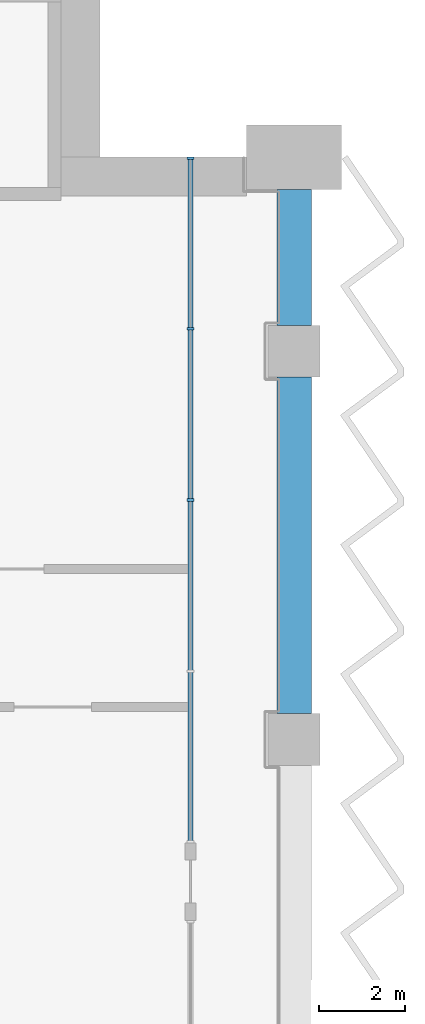
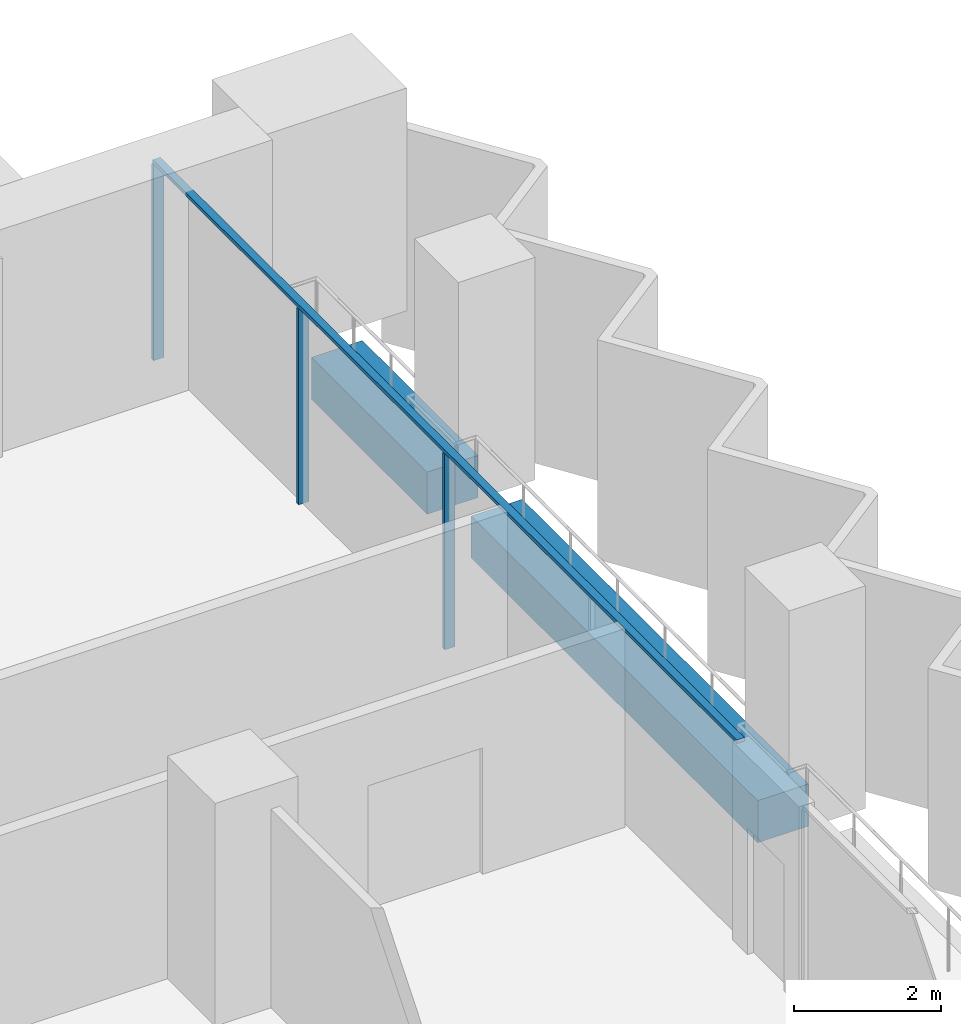
# One storey, part 6 of 22: 4 members, 2 beams, 1 element without a shape of its own.
"""IFC4 building model written with IfcOpenShell, lengths in metres."""

from ifc_helpers import new_model, si_unit, direction, frame, origin, origin_2d, place, context, subcontext, project, spatial, rectangle, extrude, material, material_profile, profile_set, type_object, element, aggregate, save


model = new_model("IFC4")

# Units and contexts
model_context = context("Model", 3, precision=1e-05, world=origin(), true_north=direction((0.0, 1.0)))
body_context = subcontext(model_context, "Body", "Model", "MODEL_VIEW")
ifc_project = project(units=[si_unit("LENGTHUNIT", "METRE"), si_unit("AREAUNIT", "SQUARE_METRE"), si_unit("VOLUMEUNIT", "CUBIC_METRE"), si_unit("PLANEANGLEUNIT", "RADIAN"), si_unit("MASSUNIT", "GRAM", prefix="KILO")], contexts=[model_context])

# Site, building, storey
site_placement = place(None, origin())
site = spatial("IfcSite", under=ifc_project, at=site_placement, CompositionType="ELEMENT")
building_placement = place(site_placement, origin())
building = spatial("IfcBuilding", under=site, at=building_placement, Name="Hunhe Ridgeline Campus", CompositionType="ELEMENT")
storey_placement = place(building_placement, frame((0.0, 0.0, 92.199951171875)))
storey = spatial("IfcBuildingStorey", under=building, at=storey_placement, Name="L22", CompositionType="ELEMENT", Elevation=92.199951171875)

# Curtain wall, members
ifc_material_1 = material(Name="Aluminium 6063", Category="aluminium")
curtain_wall_type = type_object("IfcCurtainWallType", Name="Curtain wall CW-1", PredefinedType="NOTDEFINED", material=ifc_material_1)
curtain_wall_placement = place(storey_placement, origin())
curtain_wall = element("IfcCurtainWall", 1, at=curtain_wall_placement, inside=storey, type_object=curtain_wall_type, Name="Curtain wall 16", PredefinedType="NOTDEFINED")
ifc_material_profile_1 = material_profile(ifc_material_1, rectangle(XDim=0.159912109375, YDim=0.06005859375, at=origin_2d()))
ifc_profile_set_1 = profile_set([ifc_material_profile_1], Name="Aluminium 6063")
member_type_1 = type_object("IfcMemberType", Name="CW-1 aluminium mullion", PredefinedType="MULLION", material=ifc_profile_set_1)
member_1_placement = place(storey_placement, frame((78.59912109375, 86.55029296875, 0.0), z_axis=(0.0, 0.0, 1.0), x_axis=(-1.0, 0.0, 0.0)))
member_1 = element("IfcMember", 2, at=member_1_placement, type_object=member_type_1, Name="CW-1 mullion 3", PredefinedType="MULLION", context=body_context, shape_type="SweptSolid", body=[
    extrude(rectangle(XDim=0.159912109375, YDim=0.06005859375, at=origin_2d()), origin(), (0.0, 0.0, 1.0), 3.239990234375),
])
member_2_placement = place(storey_placement, frame((78.59912109375, 90.525146484375, 0.0), z_axis=(0.0, 0.0, 1.0), x_axis=(-1.0, 0.0, 0.0)))
member_2 = element("IfcMember", 3, at=member_2_placement, type_object=member_type_1, Name="CW-1 mullion 4", PredefinedType="MULLION", context=body_context, shape_type="SweptSolid", body=[
    extrude(rectangle(XDim=0.159912109375, YDim=0.06005859375, at=origin_2d()), origin(), (0.0, 0.0, 1.0), 3.239990234375),
])
member_3_placement = place(storey_placement, frame((78.59912109375, 94.469970703125, 0.0), z_axis=(0.0, 0.0, 1.0), x_axis=(-1.0, 0.0, 0.0)))
member_3 = element("IfcMember", 4, at=member_3_placement, type_object=member_type_1, Name="CW-1 mullion 5", PredefinedType="MULLION", context=body_context, shape_type="SweptSolid", body=[
    extrude(rectangle(XDim=0.159912109375, YDim=0.06005859375, at=origin_2d()), origin(), (0.0, 0.0, 1.0), 3.239990234375),
])
ifc_material_profile_2 = material_profile(ifc_material_1, rectangle(XDim=0.1201171875, YDim=0.06005859375, at=origin_2d()))
ifc_profile_set_2 = profile_set([ifc_material_profile_2], Name="Aluminium 6063")
member_type_2 = type_object("IfcMemberType", Name="CW-1 aluminium transom", PredefinedType="USERDEFINED", material=ifc_profile_set_2)
member_4_placement = place(storey_placement, frame((78.59912109375, 78.6005859375, 3.27001953125), z_axis=(0.0, 1.0, 0.0), x_axis=(-1.0, 0.0, 0.0)))
member_4 = element("IfcMember", 5, at=member_4_placement, type_object=member_type_2, Name="CW-1 transom 1", ObjectType="TRANSOM", PredefinedType="USERDEFINED", context=body_context, shape_type="SweptSolid", body=[
    extrude(rectangle(XDim=0.1201171875, YDim=0.06005859375, at=origin_2d()), origin(), (0.0, 0.0, 1.0), 15.8994140625),
])
aggregate(curtain_wall, [member_4, member_1, member_2, member_3])

# Beams
ifc_material_2 = material(Name="Concrete C60", Category="concrete")
ifc_material_profile_3 = material_profile(ifc_material_2, rectangle(XDim=0.800048828125, YDim=0.699951171875, at=origin_2d()))
ifc_profile_set_3 = profile_set([ifc_material_profile_3], Name="Concrete C60")
beam_type = type_object("IfcBeamType", Name="RC spandrel beam 800x700 Concrete C60", PredefinedType="SPANDREL", material=ifc_profile_set_3)
beam_1_placement = place(storey_placement, frame((81.0, 81.60009765625, -0.599853515625), z_axis=(0.0, 1.0, 0.0), x_axis=(-1.0, 0.0, 0.0)))
element("IfcBeam", 6, at=beam_1_placement, inside=storey, type_object=beam_type, Name="Spandrel beam B1-21 L22", PredefinedType="SPANDREL", context=body_context, shape_type="SweptSolid", body=[
    extrude(rectangle(XDim=0.800048828125, YDim=0.699951171875, at=origin_2d()), origin(), (0.0, 0.0, 1.0), 7.7998046875),
])
beam_2_placement = place(storey_placement, frame((81.0, 90.60009765625, -0.599853515625), z_axis=(0.0, 1.0, 0.0), x_axis=(-1.0, 0.0, 0.0)))
element("IfcBeam", 7, at=beam_2_placement, inside=storey, type_object=beam_type, Name="Spandrel beam B1-22 L22", PredefinedType="SPANDREL", context=body_context, shape_type="SweptSolid", body=[
    extrude(rectangle(XDim=0.800048828125, YDim=0.699951171875, at=origin_2d()), origin(), (0.0, 0.0, 1.0), 3.14990234375),
])

save(model, "model.ifc")
